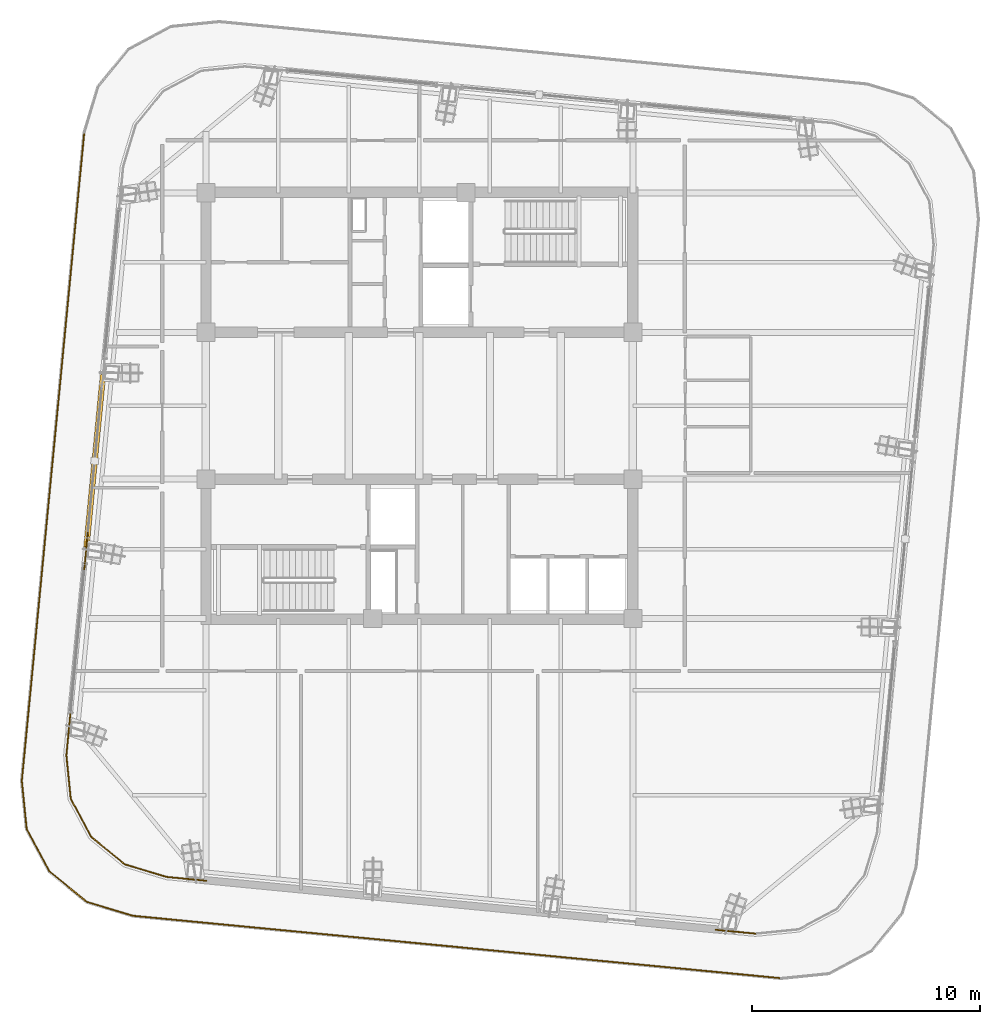
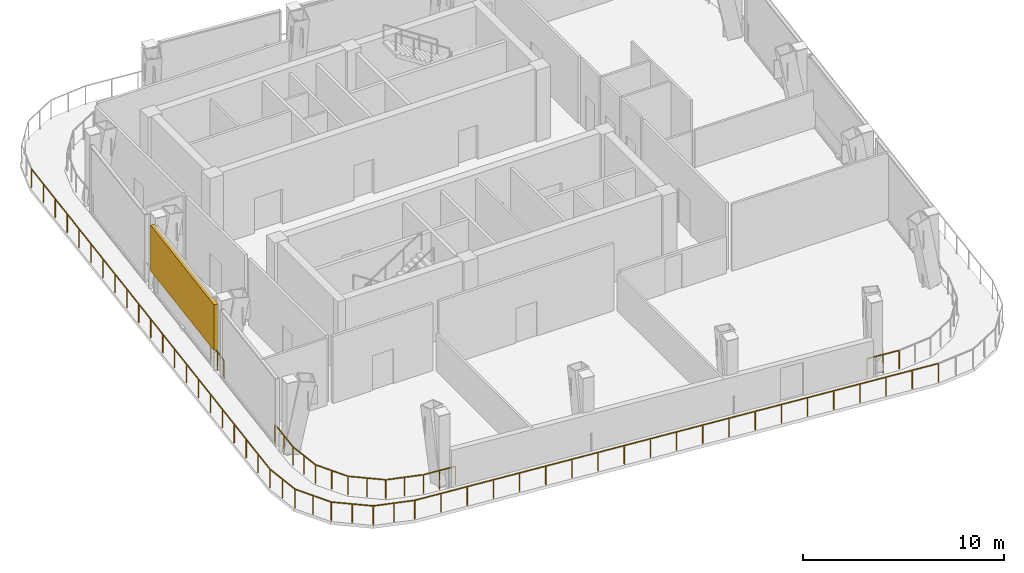
# One storey, part 15 of 19: 9 railings, 1 shading device.
"""IFC4 building model written with IfcOpenShell, lengths in metres."""

import ifcopenshell
import ifcopenshell.guid

model = None  # the IFC model being written
_history = None  # IfcOwnerHistory: only IFC2X3 demands one
_inside = {}  # id of a spatial element -> (the spatial element, [elements in it])
_under = {}  # id of a project, library or spatial element -> (it, [spatial elements below it])
_declared = {}  # id of a project -> (the project, [libraries it declares])
_typed = {}  # id of a type object -> (the type object, [elements of that type])
_made_of = {}  # id of a material, layer set ... -> (it, [elements and type objects made of it])


def new_model(schema):
    """Start an empty IFC model of exactly this schema.

    Asked for "IFC4X3", IfcOpenShell would pick the latest addendum, in which some entities
    have other attributes; the version numbers below select the first issue.
    IFC2X3 requires an IfcOwnerHistory on every rooted entity: one is made here for all.
    """
    global model, _history
    if schema == "IFC4X3":
        model = ifcopenshell.file(schema_version=(4, 3, 0, 0))
    else:
        model = ifcopenshell.file(schema=schema)
    _inside.clear()
    _under.clear()
    _declared.clear()
    _typed.clear()
    _made_of.clear()
    _history = None
    if model.schema == "IFC2X3":
        org = make("IfcOrganization", Name="unknown")
        user = make(
            "IfcPersonAndOrganization",
            ThePerson=make("IfcPerson", FamilyName="unknown"),
            TheOrganization=org,
        )
        app = make(
            "IfcApplication",
            ApplicationDeveloper=org,
            Version="unknown",
            ApplicationFullName="unknown",
            ApplicationIdentifier="unknown",
        )
        _history = make(
            "IfcOwnerHistory",
            OwningUser=user,
            OwningApplication=app,
            ChangeAction="ADDED",
            CreationDate=0,
        )
    return model


def make(cls, **values):
    """One entity of the class cls with the attributes given. An attribute that is None is left unset."""
    return model.create_entity(
        cls, **{name: value for name, value in values.items() if value is not None}
    )


def rooted(cls, **values):
    """An entity with a GlobalId (a new one), such as an element, a storey or a relation."""
    return make(cls, GlobalId=ifcopenshell.guid.new(), OwnerHistory=_history, **values)


def si_unit(unit_type, name, prefix=None):
    """IfcSIUnit, for example si_unit("LENGTHUNIT", "METRE", prefix="MILLI")."""
    return make("IfcSIUnit", UnitType=unit_type, Prefix=prefix, Name=name)


def assignment(units):
    """IfcUnitAssignment: the units of a project."""
    return None if units is None else make("IfcUnitAssignment", Units=units)


def point(xyz):
    """IfcCartesianPoint."""
    return None if xyz is None else make("IfcCartesianPoint", Coordinates=xyz)


def direction(xyz):
    """IfcDirection."""
    return None if xyz is None else make("IfcDirection", DirectionRatios=xyz)


def frame(location, z_axis=None, x_axis=None):
    """IfcAxis2Placement3D, a coordinate frame: its origin and axes. An axis left out is left unset."""
    return make(
        "IfcAxis2Placement3D",
        Location=point(location),
        Axis=direction(z_axis),
        RefDirection=direction(x_axis),
    )


def frame_2d(location, x_axis=None):
    """IfcAxis2Placement2D, a coordinate frame in the plane: its origin and x axis."""
    return make(
        "IfcAxis2Placement2D", Location=point(location), RefDirection=direction(x_axis)
    )


def origin():
    """The frame at (0, 0, 0) with its axes left unset."""
    return frame((0.0, 0.0, 0.0))


def origin_2d():
    """The frame at (0, 0) in the plane with its x axis left unset."""
    return frame_2d((0.0, 0.0))


def place(relative_to, where):
    """IfcLocalPlacement: puts the frame where relative to a parent placement (None: the world)."""
    return make(
        "IfcLocalPlacement", PlacementRelTo=relative_to, RelativePlacement=where
    )


def context(
    kind, dimensions, precision=None, world=None, true_north=None, identifier=None
):
    """IfcGeometricRepresentationContext, for example the 3D "Model" context."""
    return make(
        "IfcGeometricRepresentationContext",
        ContextIdentifier=identifier,
        ContextType=kind,
        CoordinateSpaceDimension=dimensions,
        Precision=precision,
        WorldCoordinateSystem=world,
        TrueNorth=true_north,
    )


def subcontext(parent, identifier, kind, view, scale=None):
    """IfcGeometricRepresentationSubContext, for example "Body" below "Model"."""
    return make(
        "IfcGeometricRepresentationSubContext",
        ContextIdentifier=identifier,
        ContextType=kind,
        ParentContext=parent,
        TargetScale=scale,
        TargetView=view,
    )


def project(units=None, contexts=None):
    """IfcProject with its units and contexts."""
    return rooted(
        "IfcProject",
        Name="project",
        RepresentationContexts=contexts,
        UnitsInContext=assignment(units),
    )


def spatial(cls, under=None, at=None, **own):
    """A site, building, storey or space (cls), placed at a placement, below another one or the project."""
    s = rooted(cls, ObjectPlacement=at, **own)
    if under is not None:
        _under.setdefault(under.id(), (under, []))[1].append(s)
    return s


def profile(cls, at=None, kind="AREA", **sizes):
    """A parametric profile (cls). Its sizes go by their IFC names, for example OverallWidth=200.0."""
    return make(cls, ProfileType=kind, Position=at, **sizes)


def rectangle(**sizes):
    """IfcRectangleProfileDef."""
    return profile("IfcRectangleProfileDef", **sizes)


def extrude(swept, where, along, depth):
    """IfcExtrudedAreaSolid: the profile swept, set in the frame where, extruded along a direction by depth."""
    return make(
        "IfcExtrudedAreaSolid",
        SweptArea=swept,
        Position=where,
        ExtrudedDirection=direction(along),
        Depth=depth,
    )


def shape(context_of_items, identifier, shape_type, items):
    """IfcShapeRepresentation: the items that make up one representation, for example the "Body"."""
    return make(
        "IfcShapeRepresentation",
        ContextOfItems=context_of_items,
        RepresentationIdentifier=identifier,
        RepresentationType=shape_type,
        Items=items,
    )


def material(Name=None, Category=None):
    """IfcMaterial."""
    return make("IfcMaterial", Name=Name, Category=Category)


def made_of(thing, what):
    """Note that an element or type object is made of a material, layer set ...; save() writes the relation."""
    if what is not None:
        _made_of.setdefault(what.id(), (what, []))[1].append(thing)
    return thing


def type_object(cls, material=None, **own):
    """A type object (cls), such as IfcWallType, which elements share."""
    return made_of(rooted(cls, **own), material)


def element(
    cls,
    number,
    at=None,
    inside=None,
    cuts=None,
    type_object=None,
    material=None,
    context=None,
    identifier="Body",
    shape_type=None,
    held_by="IfcProductDefinitionShape",
    body=None,
    shapes=None,
    **own,
):
    """One element of the class cls, such as IfcWall. Its Tag is "e" and its number.

    at: its placement. inside: the storey or other place that contains it. cuts: it is an
    opening in that element (IfcRelVoidsElement). A single representation is given by context,
    identifier, shape_type and body (its items); several are given by shapes. held_by: the class
    of the entity that holds the representations. save() writes the other relations.
    """
    e = rooted(cls, Tag="e%d" % number, ObjectPlacement=at, **own)
    if body is not None:
        shapes = [shape(context, identifier, shape_type, body)]
    if shapes is not None:
        e.Representation = make(held_by, Representations=shapes)
    if inside is not None:
        _inside.setdefault(inside.id(), (inside, []))[1].append(e)
    if cuts is not None:
        rooted(
            "IfcRelVoidsElement", RelatingBuildingElement=cuts, RelatedOpeningElement=e
        )
    if type_object is not None:
        _typed.setdefault(type_object.id(), (type_object, []))[1].append(e)
    return made_of(e, material)


def aggregate(whole, parts):
    """IfcRelAggregates: a whole, such as a stair, and the parts it consists of."""
    return rooted("IfcRelAggregates", RelatingObject=whole, RelatedObjects=parts)


def save(model, path):
    """Write the relations noted so far, then the file.

    IfcRelAggregates (storeys below a building ...), IfcRelContainedInSpatialStructure (elements
    in a storey), IfcRelDefinesByType, IfcRelAssociatesMaterial and IfcRelDeclares: one each for
    every whole, place, type object, material and project.
    """
    for whole, parts in _under.values():
        aggregate(whole, parts)
    for where, things in _inside.values():
        rooted(
            "IfcRelContainedInSpatialStructure",
            RelatedElements=things,
            RelatingStructure=where,
        )
    for kind, things in _typed.values():
        rooted("IfcRelDefinesByType", RelatedObjects=things, RelatingType=kind)
    for what, things in _made_of.values():
        rooted("IfcRelAssociatesMaterial", RelatedObjects=things, RelatingMaterial=what)
    for by, libraries in _declared.values():
        rooted("IfcRelDeclares", RelatingContext=by, RelatedDefinitions=libraries)
    model.write(path)


model = new_model("IFC4")

# Units and contexts
model_context = context("Model", 3, precision=1e-05, world=origin(), true_north=direction((0.0, 1.0)))
body_context = subcontext(model_context, "Body", "Model", "MODEL_VIEW")
ifc_project = project(units=[si_unit("LENGTHUNIT", "METRE"), si_unit("AREAUNIT", "SQUARE_METRE"), si_unit("VOLUMEUNIT", "CUBIC_METRE"), si_unit("PLANEANGLEUNIT", "RADIAN"), si_unit("MASSUNIT", "GRAM", prefix="KILO")], contexts=[model_context])

# Site, building, storey
site_placement = place(None, origin())
site = spatial("IfcSite", under=ifc_project, at=site_placement, CompositionType="ELEMENT")
building_placement = place(site_placement, origin())
building = spatial("IfcBuilding", under=site, at=building_placement, Name="Qhalaya Broadcast Tower", CompositionType="ELEMENT")
storey_placement = place(building_placement, frame((0.0, 0.0, 280.550048828125)))
storey = spatial("IfcBuildingStorey", under=building, at=storey_placement, Name="L83", CompositionType="ELEMENT", Elevation=280.550048828125)

# Railings
ifc_material_1 = material(Name="Powder-Coated Galvanised Steel", Category="steel")
railing_type = type_object("IfcRailingType", Name="Terrace, Sky-Pool & Lookout Glass Balustrade 1150", PredefinedType="BALUSTRADE", material=ifc_material_1)
railing_1_placement = place(storey_placement, frame((15.876220703125, -24.5390625, 0.0)))
element("IfcRailing", 1, at=railing_1_placement, inside=storey, type_object=railing_type, Name="L83 Perimeter Safety Balustrade BAL-TER1-01", PredefinedType="BALUSTRADE", context=body_context, shape_type="SweptSolid", body=[
    extrude(rectangle(XDim=0.048095703125, YDim=0.048095703125, at=origin_2d()), frame((0.0, 0.0, 1.1259765625), z_axis=(-0.995395968782, 0.095848136823, 0.0), x_axis=(-0.095848136823, -0.995395968782, 0.0)), (0.0, 0.0, 1.0), 28.584228515625),
    extrude(rectangle(XDim=0.0419921875, YDim=0.0419921875, at=origin_2d()), origin(), (0.0, 0.0, 1.0), 1.099853515625),
    extrude(rectangle(XDim=0.0419921875, YDim=0.0419921875, at=origin_2d()), frame((-1.422607421875, 0.136962890625, 0.0)), (0.0, 0.0, 1.0), 1.099853515625),
    extrude(rectangle(XDim=0.0419921875, YDim=0.0419921875, at=origin_2d()), frame((-2.84521484375, 0.27392578125, 0.0)), (0.0, 0.0, 1.0), 1.099853515625),
    extrude(rectangle(XDim=0.0419921875, YDim=0.0419921875, at=origin_2d()), frame((-4.267822265625, 0.410888671875, 0.0)), (0.0, 0.0, 1.0), 1.099853515625),
    extrude(rectangle(XDim=0.0419921875, YDim=0.0419921875, at=origin_2d()), frame((-5.6904296875, 0.5478515625, 0.0)), (0.0, 0.0, 1.0), 1.099853515625),
    extrude(rectangle(XDim=0.0419921875, YDim=0.0419921875, at=origin_2d()), frame((-7.11328125, 0.68505859375, 0.0)), (0.0, 0.0, 1.0), 1.099853515625),
    extrude(rectangle(XDim=0.0419921875, YDim=0.0419921875, at=origin_2d()), frame((-8.535888671875, 0.822021484375, 0.0)), (0.0, 0.0, 1.0), 1.099853515625),
    extrude(rectangle(XDim=0.0419921875, YDim=0.0419921875, at=origin_2d()), frame((-9.95849609375, 0.958984375, 0.0)), (0.0, 0.0, 1.0), 1.099853515625),
    extrude(rectangle(XDim=0.0419921875, YDim=0.0419921875, at=origin_2d()), frame((-11.381103515625, 1.095947265625, 0.0)), (0.0, 0.0, 1.0), 1.099853515625),
    extrude(rectangle(XDim=0.0419921875, YDim=0.0419921875, at=origin_2d()), frame((-12.8037109375, 1.23291015625, 0.0)), (0.0, 0.0, 1.0), 1.099853515625),
    extrude(rectangle(XDim=0.0419921875, YDim=0.0419921875, at=origin_2d()), frame((-14.226318359375, 1.369873046875, 0.0)), (0.0, 0.0, 1.0), 1.099853515625),
    extrude(rectangle(XDim=0.0419921875, YDim=0.0419921875, at=origin_2d()), frame((-15.64892578125, 1.5068359375, 0.0)), (0.0, 0.0, 1.0), 1.099853515625),
    extrude(rectangle(XDim=0.0419921875, YDim=0.0419921875, at=origin_2d()), frame((-17.071533203125, 1.643798828125, 0.0)), (0.0, 0.0, 1.0), 1.099853515625),
    extrude(rectangle(XDim=0.0419921875, YDim=0.0419921875, at=origin_2d()), frame((-18.494140625, 1.78076171875, 0.0)), (0.0, 0.0, 1.0), 1.099853515625),
    extrude(rectangle(XDim=0.0419921875, YDim=0.0419921875, at=origin_2d()), frame((-19.916748046875, 1.917724609375, 0.0)), (0.0, 0.0, 1.0), 1.099853515625),
    extrude(rectangle(XDim=0.0419921875, YDim=0.0419921875, at=origin_2d()), frame((-21.33935546875, 2.0546875, 0.0)), (0.0, 0.0, 1.0), 1.099853515625),
    extrude(rectangle(XDim=0.0419921875, YDim=0.0419921875, at=origin_2d()), frame((-22.76220703125, 2.19189453125, 0.0)), (0.0, 0.0, 1.0), 1.099853515625),
    extrude(rectangle(XDim=0.0419921875, YDim=0.0419921875, at=origin_2d()), frame((-24.184814453125, 2.328857421875, 0.0)), (0.0, 0.0, 1.0), 1.099853515625),
    extrude(rectangle(XDim=0.0419921875, YDim=0.0419921875, at=origin_2d()), frame((-25.607421875, 2.4658203125, 0.0)), (0.0, 0.0, 1.0), 1.099853515625),
    extrude(rectangle(XDim=0.0419921875, YDim=0.0419921875, at=origin_2d()), frame((-27.030029296875, 2.602783203125, 0.0)), (0.0, 0.0, 1.0), 1.099853515625),
    extrude(rectangle(XDim=0.0419921875, YDim=0.0419921875, at=origin_2d()), frame((-28.45263671875, 2.73974609375, 0.0)), (0.0, 0.0, 1.0), 1.099853515625),
])
railing_2_placement = place(storey_placement, frame((-12.576416015625, -21.79931640625, 0.0)))
element("IfcRailing", 2, at=railing_2_placement, inside=storey, type_object=railing_type, Name="L83 Perimeter Safety Balustrade BAL-TER1-02", PredefinedType="BALUSTRADE", context=body_context, shape_type="SweptSolid", body=[
    extrude(rectangle(XDim=0.048095703125, YDim=0.048095703125, at=origin_2d()), frame((0.0, 0.0, 1.1259765625), z_axis=(-0.957578968467, 0.288170989429, 0.0), x_axis=(-0.288170989429, -0.957578968467, 0.0)), (0.0, 0.0, 1.0), 2.122314453125),
    extrude(rectangle(XDim=0.0419921875, YDim=0.0419921875, at=origin_2d()), origin(), (0.0, 0.0, 1.0), 1.099853515625),
    extrude(rectangle(XDim=0.0419921875, YDim=0.0419921875, at=origin_2d()), frame((-1.01611328125, 0.3056640625, 0.0)), (0.0, 0.0, 1.0), 1.099853515625),
    extrude(rectangle(XDim=0.0419921875, YDim=0.0419921875, at=origin_2d()), frame((-2.0322265625, 0.611572265625, 0.0)), (0.0, 0.0, 1.0), 1.099853515625),
])
railing_3_placement = place(storey_placement, frame((-14.608642578125, -21.187744140625, 0.0)))
element("IfcRailing", 3, at=railing_3_placement, inside=storey, type_object=railing_type, Name="L83 Perimeter Safety Balustrade BAL-TER1-03", PredefinedType="BALUSTRADE", context=body_context, shape_type="SweptSolid", body=[
    extrude(rectangle(XDim=0.048095703125, YDim=0.048095703125, at=origin_2d()), frame((0.0, 0.0, 1.1259765625), z_axis=(-0.7743944441, 0.632703125444, 0.0), x_axis=(-0.632703125444, -0.7743944441, 0.0)), (0.0, 0.0, 1.0), 2.1142578125),
    extrude(rectangle(XDim=0.0419921875, YDim=0.0419921875, at=origin_2d()), origin(), (0.0, 0.0, 1.0), 1.099853515625),
    extrude(rectangle(XDim=0.0419921875, YDim=0.0419921875, at=origin_2d()), frame((-0.818603515625, 0.6689453125, 0.0)), (0.0, 0.0, 1.0), 1.099853515625),
    extrude(rectangle(XDim=0.0419921875, YDim=0.0419921875, at=origin_2d()), frame((-1.63720703125, 1.337646484375, 0.0)), (0.0, 0.0, 1.0), 1.099853515625),
])
railing_4_placement = place(storey_placement, frame((-16.245849609375, -19.85009765625, 0.0)))
element("IfcRailing", 4, at=railing_4_placement, inside=storey, type_object=railing_type, Name="L83 Perimeter Safety Balustrade BAL-TER1-04", PredefinedType="BALUSTRADE", context=body_context, shape_type="SweptSolid", body=[
    extrude(rectangle(XDim=0.048095703125, YDim=0.048095703125, at=origin_2d()), frame((0.0, 0.0, 1.1259765625), z_axis=(-0.473259423957, 0.880923105404, 0.0), x_axis=(-0.880923105404, -0.473259423957, 0.0)), (0.0, 0.0, 1.0), 2.114013671875),
    extrude(rectangle(XDim=0.0419921875, YDim=0.0419921875, at=origin_2d()), origin(), (0.0, 0.0, 1.0), 1.099853515625),
    extrude(rectangle(XDim=0.0419921875, YDim=0.0419921875, at=origin_2d()), frame((-0.500244140625, 0.93115234375, 0.0)), (0.0, 0.0, 1.0), 1.099853515625),
    extrude(rectangle(XDim=0.0419921875, YDim=0.0419921875, at=origin_2d()), frame((-1.00048828125, 1.8623046875, 0.0)), (0.0, 0.0, 1.0), 1.099853515625),
])
railing_5_placement = place(storey_placement, frame((-17.246337890625, -17.98779296875, 0.0)))
element("IfcRailing", 5, at=railing_5_placement, inside=storey, type_object=railing_type, Name="L83 Perimeter Safety Balustrade BAL-TER1-05", PredefinedType="BALUSTRADE", context=body_context, shape_type="SweptSolid", body=[
    extrude(rectangle(XDim=0.048095703125, YDim=0.048095703125, at=origin_2d()), frame((0.0, 0.0, 1.1259765625), z_axis=(-0.100198481383, 0.99496746898, 0.0), x_axis=(-0.99496746898, -0.100198481383, 0.0)), (0.0, 0.0, 1.0), 2.122314453125),
    extrude(rectangle(XDim=0.0419921875, YDim=0.0419921875, at=origin_2d()), origin(), (0.0, 0.0, 1.0), 1.099853515625),
    extrude(rectangle(XDim=0.0419921875, YDim=0.0419921875, at=origin_2d()), frame((-0.1064453125, 1.0556640625, 0.0)), (0.0, 0.0, 1.0), 1.099853515625),
    extrude(rectangle(XDim=0.0419921875, YDim=0.0419921875, at=origin_2d()), frame((-0.212646484375, 2.111572265625, 0.0)), (0.0, 0.0, 1.0), 1.099853515625),
])
railing_6_placement = place(storey_placement, frame((-17.458984375, -15.876220703125, 0.0)))
element("IfcRailing", 6, at=railing_6_placement, inside=storey, type_object=railing_type, Name="L83 Perimeter Safety Balustrade BAL-TER1-06", PredefinedType="BALUSTRADE", context=body_context, shape_type="SweptSolid", body=[
    extrude(rectangle(XDim=0.048095703125, YDim=0.048095703125, at=origin_2d()), frame((0.0, 0.0, 1.1259765625), z_axis=(0.095839674187, 0.995396783625, 0.0), x_axis=(-0.995396783625, 0.095839674187, 0.0)), (0.0, 0.0, 1.0), 28.584228515625),
    extrude(rectangle(XDim=0.0419921875, YDim=0.0419921875, at=origin_2d()), origin(), (0.0, 0.0, 1.0), 1.099853515625),
    extrude(rectangle(XDim=0.0419921875, YDim=0.0419921875, at=origin_2d()), frame((0.136962890625, 1.422607421875, 0.0)), (0.0, 0.0, 1.0), 1.099853515625),
    extrude(rectangle(XDim=0.0419921875, YDim=0.0419921875, at=origin_2d()), frame((0.27392578125, 2.84521484375, 0.0)), (0.0, 0.0, 1.0), 1.099853515625),
    extrude(rectangle(XDim=0.0419921875, YDim=0.0419921875, at=origin_2d()), frame((0.410888671875, 4.267822265625, 0.0)), (0.0, 0.0, 1.0), 1.099853515625),
    extrude(rectangle(XDim=0.0419921875, YDim=0.0419921875, at=origin_2d()), frame((0.5478515625, 5.6904296875, 0.0)), (0.0, 0.0, 1.0), 1.099853515625),
    extrude(rectangle(XDim=0.0419921875, YDim=0.0419921875, at=origin_2d()), frame((0.684814453125, 7.11328125, 0.0)), (0.0, 0.0, 1.0), 1.099853515625),
    extrude(rectangle(XDim=0.0419921875, YDim=0.0419921875, at=origin_2d()), frame((0.82177734375, 8.535888671875, 0.0)), (0.0, 0.0, 1.0), 1.099853515625),
    extrude(rectangle(XDim=0.0419921875, YDim=0.0419921875, at=origin_2d()), frame((0.958740234375, 9.95849609375, 0.0)), (0.0, 0.0, 1.0), 1.099853515625),
    extrude(rectangle(XDim=0.0419921875, YDim=0.0419921875, at=origin_2d()), frame((1.095703125, 11.381103515625, 0.0)), (0.0, 0.0, 1.0), 1.099853515625),
    extrude(rectangle(XDim=0.0419921875, YDim=0.0419921875, at=origin_2d()), frame((1.232666015625, 12.8037109375, 0.0)), (0.0, 0.0, 1.0), 1.099853515625),
    extrude(rectangle(XDim=0.0419921875, YDim=0.0419921875, at=origin_2d()), frame((1.36962890625, 14.226318359375, 0.0)), (0.0, 0.0, 1.0), 1.099853515625),
    extrude(rectangle(XDim=0.0419921875, YDim=0.0419921875, at=origin_2d()), frame((1.5068359375, 15.64892578125, 0.0)), (0.0, 0.0, 1.0), 1.099853515625),
    extrude(rectangle(XDim=0.0419921875, YDim=0.0419921875, at=origin_2d()), frame((1.643798828125, 17.071533203125, 0.0)), (0.0, 0.0, 1.0), 1.099853515625),
    extrude(rectangle(XDim=0.0419921875, YDim=0.0419921875, at=origin_2d()), frame((1.78076171875, 18.494140625, 0.0)), (0.0, 0.0, 1.0), 1.099853515625),
    extrude(rectangle(XDim=0.0419921875, YDim=0.0419921875, at=origin_2d()), frame((1.917724609375, 19.916748046875, 0.0)), (0.0, 0.0, 1.0), 1.099853515625),
    extrude(rectangle(XDim=0.0419921875, YDim=0.0419921875, at=origin_2d()), frame((2.0546875, 21.33935546875, 0.0)), (0.0, 0.0, 1.0), 1.099853515625),
    extrude(rectangle(XDim=0.0419921875, YDim=0.0419921875, at=origin_2d()), frame((2.191650390625, 22.76220703125, 0.0)), (0.0, 0.0, 1.0), 1.099853515625),
    extrude(rectangle(XDim=0.0419921875, YDim=0.0419921875, at=origin_2d()), frame((2.32861328125, 24.184814453125, 0.0)), (0.0, 0.0, 1.0), 1.099853515625),
    extrude(rectangle(XDim=0.0419921875, YDim=0.0419921875, at=origin_2d()), frame((2.465576171875, 25.607421875, 0.0)), (0.0, 0.0, 1.0), 1.099853515625),
    extrude(rectangle(XDim=0.0419921875, YDim=0.0419921875, at=origin_2d()), frame((2.6025390625, 27.030029296875, 0.0)), (0.0, 0.0, 1.0), 1.099853515625),
    extrude(rectangle(XDim=0.0419921875, YDim=0.0419921875, at=origin_2d()), frame((2.739501953125, 28.45263671875, 0.0)), (0.0, 0.0, 1.0), 1.099853515625),
])
railing_7_placement = place(storey_placement, frame((14.754638671875, -22.58251953125, 0.0)))
element("IfcRailing", 7, at=railing_7_placement, inside=storey, type_object=railing_type, Name="L83 Rounded Corner Perimeter Guard 01", PredefinedType="BALUSTRADE", context=body_context, shape_type="SweptSolid", body=[
    extrude(rectangle(XDim=0.048095703125, YDim=0.048095703125, at=origin_2d()), frame((0.0, 0.0, 1.1259765625), z_axis=(-0.99540189436, 0.09578657894, 0.0), x_axis=(-0.09578657894, -0.99540189436, 0.0)), (0.0, 0.0, 1.0), 1.756103515625),
    extrude(rectangle(XDim=0.0419921875, YDim=0.0419921875, at=origin_2d()), origin(), (0.0, 0.0, 1.0), 1.099853515625),
    extrude(rectangle(XDim=0.0419921875, YDim=0.0419921875, at=origin_2d()), frame((-0.8740234375, 0.083984375, 0.0)), (0.0, 0.0, 1.0), 1.099853515625),
    extrude(rectangle(XDim=0.0419921875, YDim=0.0419921875, at=origin_2d()), frame((-1.748046875, 0.168212890625, 0.0)), (0.0, 0.0, 1.0), 1.099853515625),
])
railing_8_placement = place(storey_placement, frame((-9.35400390625, -20.260986328125, 0.0)))
element("IfcRailing", 8, at=railing_8_placement, inside=storey, type_object=railing_type, Name="L83 Rounded Corner Perimeter Guard 02", PredefinedType="BALUSTRADE", context=body_context, shape_type="SweptSolid", body=[
    extrude(rectangle(XDim=0.048095703125, YDim=0.048095703125, at=origin_2d()), frame((0.0, 0.0, 1.1259765625), z_axis=(-0.99540189436, 0.09578657894, 0.0), x_axis=(-0.09578657894, -0.99540189436, 0.0)), (0.0, 0.0, 1.0), 1.727294921875),
    extrude(rectangle(XDim=0.048095703125, YDim=0.048095703125, at=origin_2d()), frame((-1.775634765625, 0.176513671875, 1.1259765625), z_axis=(-0.957601447485, 0.288096282124, 0.0), x_axis=(-0.288096282124, -0.957601447485, 0.0)), (0.0, 0.0, 1.0), 1.857421875),
    extrude(rectangle(XDim=0.048095703125, YDim=0.048095703125, at=origin_2d()), frame((-3.6044921875, 0.73828125, 1.1259765625), z_axis=(-0.774357190213, 0.63274871945, 0.0), x_axis=(-0.63274871945, -0.774357190213, 0.0)), (0.0, 0.0, 1.0), 1.845703125),
    extrude(rectangle(XDim=0.048095703125, YDim=0.048095703125, at=origin_2d()), frame((-5.069580078125, 1.94970703125, 1.1259765625), z_axis=(-0.473342342286, 0.880878554058, 0.0), x_axis=(-0.880878554058, -0.473342342286, 0.0)), (0.0, 0.0, 1.0), 1.845458984375),
    extrude(rectangle(XDim=0.048095703125, YDim=0.048095703125, at=origin_2d()), frame((-5.959716796875, 3.629638671875, 1.1259765625), z_axis=(-0.100071682341, 0.994980230152, 0.0), x_axis=(-0.994980230152, -0.100071682341, 0.0)), (0.0, 0.0, 1.0), 1.857421875),
    extrude(rectangle(XDim=0.048095703125, YDim=0.048095703125, at=origin_2d()), frame((-6.145751953125, 5.53515625, 1.1259765625), z_axis=(0.095782687057, 0.995402268864, 0.0), x_axis=(-0.995402268864, 0.095782687057, 0.0)), (0.0, 0.0, 1.0), 2.08935546875),
    extrude(rectangle(XDim=0.0419921875, YDim=0.0419921875, at=origin_2d()), origin(), (0.0, 0.0, 1.0), 1.099853515625),
    extrude(rectangle(XDim=0.0419921875, YDim=0.0419921875, at=origin_2d()), frame((-0.8740234375, 0.083984375, 0.0)), (0.0, 0.0, 1.0), 1.099853515625),
    extrude(rectangle(XDim=0.0419921875, YDim=0.0419921875, at=origin_2d()), frame((-1.748046875, 0.168212890625, 0.0)), (0.0, 0.0, 1.0), 1.099853515625),
    extrude(rectangle(XDim=0.0419921875, YDim=0.0419921875, at=origin_2d()), frame((-2.6650390625, 0.444091796875, 0.0)), (0.0, 0.0, 1.0), 1.099853515625),
    extrude(rectangle(XDim=0.0419921875, YDim=0.0419921875, at=origin_2d()), frame((-3.58203125, 0.719970703125, 0.0)), (0.0, 0.0, 1.0), 1.099853515625),
    extrude(rectangle(XDim=0.0419921875, YDim=0.0419921875, at=origin_2d()), frame((-4.31884765625, 1.322265625, 0.0)), (0.0, 0.0, 1.0), 1.099853515625),
    extrude(rectangle(XDim=0.0419921875, YDim=0.0419921875, at=origin_2d()), frame((-5.055908203125, 1.92431640625, 0.0)), (0.0, 0.0, 1.0), 1.099853515625),
    extrude(rectangle(XDim=0.0419921875, YDim=0.0419921875, at=origin_2d()), frame((-5.50634765625, 2.7626953125, 0.0)), (0.0, 0.0, 1.0), 1.099853515625),
    extrude(rectangle(XDim=0.0419921875, YDim=0.0419921875, at=origin_2d()), frame((-5.956787109375, 3.600830078125, 0.0)), (0.0, 0.0, 1.0), 1.099853515625),
    extrude(rectangle(XDim=0.0419921875, YDim=0.0419921875, at=origin_2d()), frame((-6.052734375, 4.5537109375, 0.0)), (0.0, 0.0, 1.0), 1.099853515625),
    extrude(rectangle(XDim=0.0419921875, YDim=0.0419921875, at=origin_2d()), frame((-6.1484375, 5.50634765625, 0.0)), (0.0, 0.0, 1.0), 1.099853515625),
    extrude(rectangle(XDim=0.0419921875, YDim=0.0419921875, at=origin_2d()), frame((-6.046875, 6.560546875, 0.0)), (0.0, 0.0, 1.0), 1.099853515625),
    extrude(rectangle(XDim=0.0419921875, YDim=0.0419921875, at=origin_2d()), frame((-5.945556640625, 7.61474609375, 0.0)), (0.0, 0.0, 1.0), 1.099853515625),
])
railing_9_placement = place(storey_placement, frame((-14.714599609375, -6.572265625, 0.0)))
element("IfcRailing", 9, at=railing_9_placement, inside=storey, type_object=railing_type, Name="L83 Rounded Corner Perimeter Guard 03", PredefinedType="BALUSTRADE", context=body_context, shape_type="SweptSolid", body=[
    extrude(rectangle(XDim=0.048095703125, YDim=0.048095703125, at=origin_2d()), frame((0.0, 0.0, 1.1259765625), z_axis=(0.095770338716, 0.995403457007, 0.0), x_axis=(-0.995403457007, 0.095770338716, 0.0)), (0.0, 0.0, 1.0), 1.60595703125),
    extrude(rectangle(XDim=0.0419921875, YDim=0.0419921875, at=origin_2d()), origin(), (0.0, 0.0, 1.0), 1.099853515625),
    extrude(rectangle(XDim=0.0419921875, YDim=0.0419921875, at=origin_2d()), frame((0.076904296875, 0.79931640625, 0.0)), (0.0, 0.0, 1.0), 1.099853515625),
    extrude(rectangle(XDim=0.0419921875, YDim=0.0419921875, at=origin_2d()), frame((0.15380859375, 1.5986328125, 0.0)), (0.0, 0.0, 1.0), 1.099853515625),
])

# Shading device
ifc_material_2 = material(Name="Fired Architectural Terracotta", Category="masonry")
shading_device_type = type_object("IfcShadingDeviceType", Name="Terracotta Baguette Solar Screen Assembly TBS-01", PredefinedType="USERDEFINED", material=ifc_material_2)
shading_device_placement = place(storey_placement, frame((-14.2578125, -1.826171875, 1.139404296875), z_axis=(0.0, 0.0, 1.0), x_axis=(-0.09584575252, -0.995396198367, 0.0)))
element("IfcShadingDevice", 10, at=shading_device_placement, inside=storey, type_object=shading_device_type, Name="L83 Fired Terracotta Baguette Screen W", ObjectType="BAGUETTE", PredefinedType="USERDEFINED", context=body_context, shape_type="SweptSolid", body=[
    extrude(rectangle(XDim=7.60009765625, YDim=0.239990234375, at=origin_2d()), origin(), (0.0, 0.0, 1.0), 2.76806640625),
])

save(model, "model.ifc")
